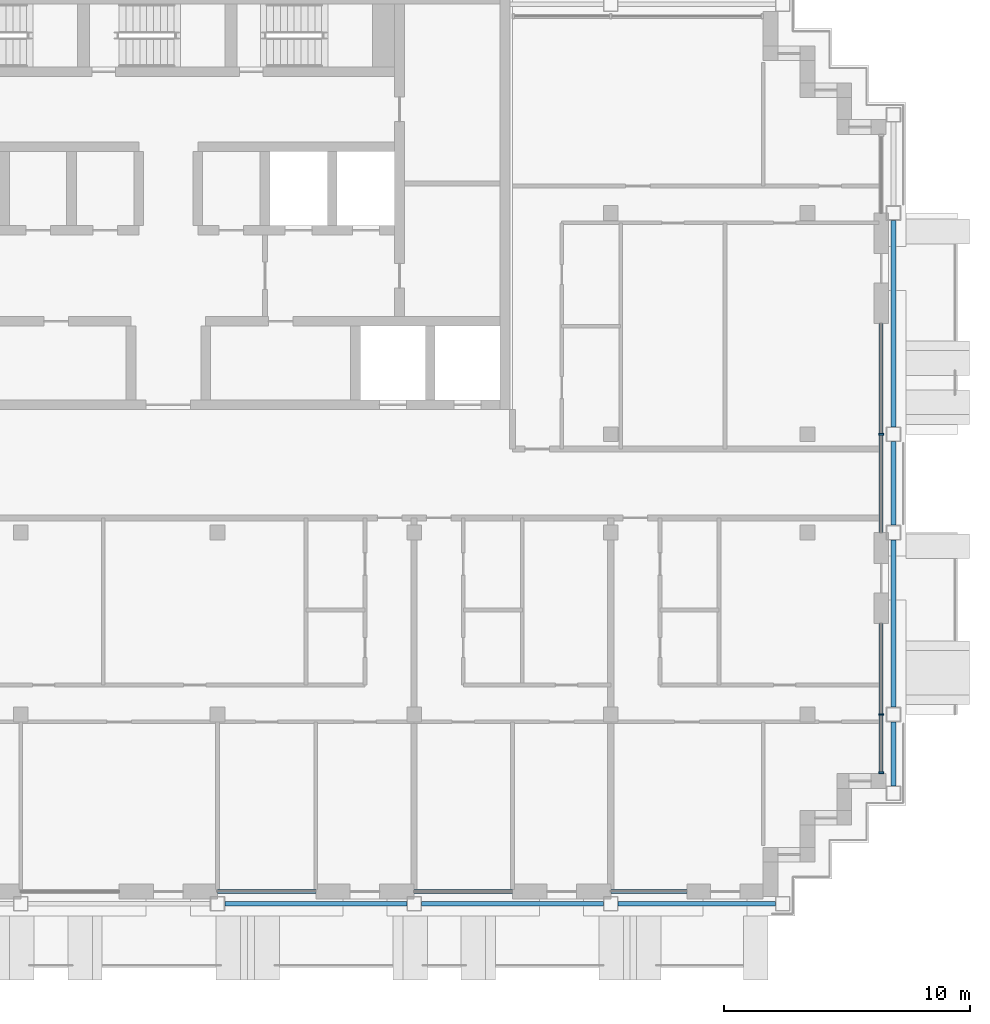
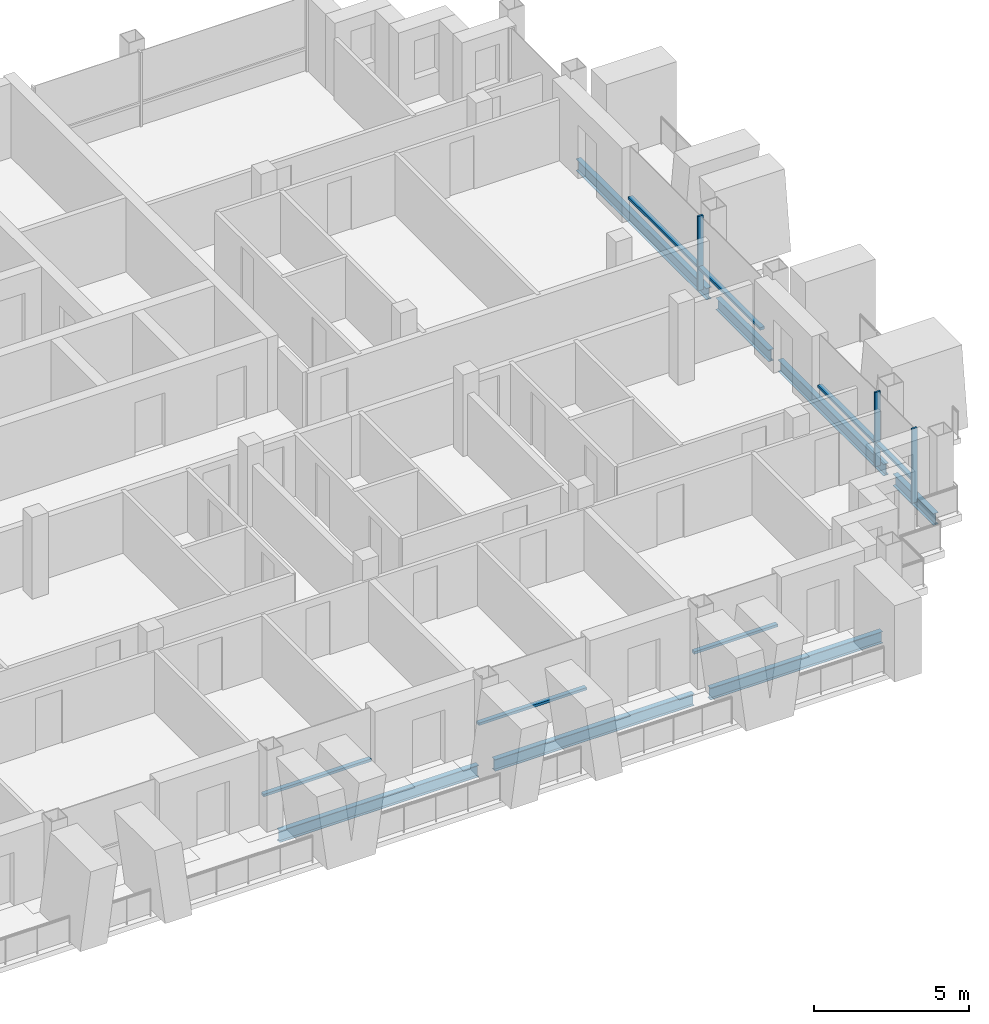
# One storey, part 3 of 15: 10 members, 7 beams, 5 elements without a shape of their own.
"""IFC4 building model written with IfcOpenShell, lengths in metres."""

from ifc_helpers import new_model, si_unit, direction, frame, origin, origin_2d, place, context, subcontext, project, spatial, rectangle, i_section, extrude, material, material_profile, profile_set, type_object, element, aggregate, save


model = new_model("IFC4")

# Units and contexts
model_context = context("Model", 3, precision=1e-05, world=origin(), true_north=direction((0.0, 1.0)))
body_context = subcontext(model_context, "Body", "Model", "MODEL_VIEW")
ifc_project = project(units=[si_unit("LENGTHUNIT", "METRE"), si_unit("AREAUNIT", "SQUARE_METRE"), si_unit("VOLUMEUNIT", "CUBIC_METRE"), si_unit("PLANEANGLEUNIT", "RADIAN"), si_unit("MASSUNIT", "GRAM", prefix="KILO")], contexts=[model_context])

# Site, building, storey
site_placement = place(None, origin())
site = spatial("IfcSite", under=ifc_project, at=site_placement, CompositionType="ELEMENT")
building_placement = place(site_placement, origin())
building = spatial("IfcBuilding", under=site, at=building_placement, Name="Vidyagriha Tower", CompositionType="ELEMENT")
storey_placement = place(building_placement, frame((0.0, 0.0, 210.800048828125)))
storey = spatial("IfcBuildingStorey", under=building, at=storey_placement, Name="L54", CompositionType="ELEMENT", Elevation=210.800048828125)

# Beams
ifc_material_1 = material(Name="Steel ASTM A992 Grade 50", Category="steel")
ifc_material_profile_1 = material_profile(ifc_material_1, i_section(OverallWidth=0.19189453125, OverallDepth=0.46240234375, WebThickness=0.010498046875, FlangeThickness=0.017578125, at=origin_2d()), Name="W18X60")
ifc_profile_set_1 = profile_set([ifc_material_profile_1], Name="Steel ASTM A992 Grade 50")
beam_type = type_object("IfcBeamType", Name="Edge beam W18X60", PredefinedType="SPANDREL", material=ifc_profile_set_1)
for number, where, z_axis, x_axis, name in (
    (1, (2.300048828125, -17.10009765625, -0.51123046875), (1.0, 0.0, 0.0), (0.0, 1.0, 0.0), "st-beam-L54-S05"),
    (2, (10.300048828125, -17.10009765625, -0.51123046875), (1.0, 0.0, 0.0), (0.0, 1.0, 0.0), "st-beam-L54-S06"),
):
    element("IfcBeam", number, at=place(storey_placement, frame(where, z_axis=z_axis, x_axis=x_axis)), inside=storey, type_object=beam_type, Name=name, PredefinedType="SPANDREL", context=body_context, shape_type="SweptSolid", body=[
        extrude(i_section(OverallWidth=0.19189453125, OverallDepth=0.46240234375, WebThickness=0.010498046875, FlangeThickness=0.017578125, at=origin_2d()), origin(), (0.0, 0.0, 1.0), 7.39990234375),
    ])
beam_1_placement = place(storey_placement, frame((18.300048828125, -17.10009765625, -0.51123046875), z_axis=(1.0, 0.0, 0.0), x_axis=(0.0, 1.0, 0.0)))
element("IfcBeam", 3, at=beam_1_placement, inside=storey, type_object=beam_type, Name="st-beam-L54-S07", PredefinedType="SPANDREL", context=body_context, shape_type="SweptSolid", body=[
    extrude(i_section(OverallWidth=0.19189453125, OverallDepth=0.46240234375, WebThickness=0.010498046875, FlangeThickness=0.017578125, at=origin_2d()), origin(), (0.0, 0.0, 1.0), 6.39990234375),
])
beam_2_placement = place(storey_placement, frame((29.5, -12.300048828125, -0.51123046875), z_axis=(0.0, 1.0, 0.0), x_axis=(-1.0, 0.0, 0.0)))
element("IfcBeam", 4, at=beam_2_placement, inside=storey, type_object=beam_type, Name="st-beam-L54-E13", PredefinedType="SPANDREL", context=body_context, shape_type="SweptSolid", body=[
    extrude(i_section(OverallWidth=0.19189453125, OverallDepth=0.46240234375, WebThickness=0.010498046875, FlangeThickness=0.017578125, at=origin_2d()), origin(), (0.0, 0.0, 1.0), 2.60009765625),
])
beam_3_placement = place(storey_placement, frame((29.5, -9.10009765625, -0.51123046875), z_axis=(0.0, 1.0, 0.0), x_axis=(-1.0, 0.0, 0.0)))
element("IfcBeam", 5, at=beam_3_placement, inside=storey, type_object=beam_type, Name="st-beam-L54-E14", PredefinedType="SPANDREL", context=body_context, shape_type="SweptSolid", body=[
    extrude(i_section(OverallWidth=0.19189453125, OverallDepth=0.46240234375, WebThickness=0.010498046875, FlangeThickness=0.017578125, at=origin_2d()), origin(), (0.0, 0.0, 1.0), 6.800048828125),
])
beam_4_placement = place(storey_placement, frame((29.5, -1.699951171875, -0.51123046875), z_axis=(0.0, 1.0, 0.0), x_axis=(-1.0, 0.0, 0.0)))
element("IfcBeam", 6, at=beam_4_placement, inside=storey, type_object=beam_type, Name="st-beam-L54-E15", PredefinedType="SPANDREL", context=body_context, shape_type="SweptSolid", body=[
    extrude(i_section(OverallWidth=0.19189453125, OverallDepth=0.46240234375, WebThickness=0.010498046875, FlangeThickness=0.017578125, at=origin_2d()), origin(), (0.0, 0.0, 1.0), 3.39990234375),
])
beam_5_placement = place(storey_placement, frame((29.5, 2.300048828125, -0.51123046875), z_axis=(0.0, 1.0, 0.0), x_axis=(-1.0, 0.0, 0.0)))
element("IfcBeam", 7, at=beam_5_placement, inside=storey, type_object=beam_type, Name="st-beam-L54-E16", PredefinedType="SPANDREL", context=body_context, shape_type="SweptSolid", body=[
    extrude(i_section(OverallWidth=0.19189453125, OverallDepth=0.46240234375, WebThickness=0.010498046875, FlangeThickness=0.017578125, at=origin_2d()), origin(), (0.0, 0.0, 1.0), 8.39990234375),
])

# Curtain wall, members
ifc_material_2 = material(Name="Aluminium and glass curtain wall", Category="aluminium")
curtain_wall_type = type_object("IfcCurtainWallType", Name="Dwelling skin unitised curtain wall", PredefinedType="USERDEFINED", material=ifc_material_2)
curtain_wall_1_placement = place(storey_placement, origin())
curtain_wall_1 = element("IfcCurtainWall", 8, at=curtain_wall_1_placement, inside=storey, type_object=curtain_wall_type, Name="CW1 dwelling skin", ObjectType="UNITISED", PredefinedType="USERDEFINED")
ifc_material_3 = material(Name="Aluminium black anodised", Category="aluminium")
ifc_material_profile_2 = material_profile(ifc_material_3, rectangle(XDim=0.199951171875, YDim=0.070068359375, at=origin_2d()), Name="Mullion 70x200 black aluminium")
ifc_profile_set_2 = profile_set([ifc_material_profile_2], Name="Aluminium black anodised")
member_type_1 = type_object("IfcMemberType", Name="Mullion 70x200 black aluminium", PredefinedType="MULLION", material=ifc_profile_set_2)
member_1_placement = place(storey_placement, frame((29.0, -11.764892578125, 0.0), z_axis=(0.0, 0.0, 1.0), x_axis=(-1.0, 0.0, 0.0)))
member_1 = element("IfcMember", 9, at=member_1_placement, type_object=member_type_1, Name="CW1 mullion 1", PredefinedType="MULLION", context=body_context, shape_type="SweptSolid", body=[
    extrude(rectangle(XDim=0.199951171875, YDim=0.070068359375, at=origin_2d()), origin(), (0.0, 0.0, 1.0), 2.919921875),
])
member_2_placement = place(storey_placement, frame((29.0, -9.39990234375, 0.0), z_axis=(0.0, 0.0, 1.0), x_axis=(-1.0, 0.0, 0.0)))
member_2 = element("IfcMember", 10, at=member_2_placement, type_object=member_type_1, Name="CW1 mullion 2", PredefinedType="MULLION", context=body_context, shape_type="SweptSolid", body=[
    extrude(rectangle(XDim=0.199951171875, YDim=0.070068359375, at=origin_2d()), origin(), (0.0, 0.0, 1.0), 2.919921875),
])

# Curtain wall, member
curtain_wall_2_placement = place(storey_placement, origin())
curtain_wall_2 = element("IfcCurtainWall", 11, at=curtain_wall_2_placement, inside=storey, type_object=curtain_wall_type, Name="CW1 dwelling skin", ObjectType="UNITISED", PredefinedType="USERDEFINED")
member_3_placement = place(storey_placement, frame((29.0, 2.0, 0.0), z_axis=(0.0, 0.0, 1.0), x_axis=(-1.0, 0.0, 0.0)))
member_3 = element("IfcMember", 12, at=member_3_placement, type_object=member_type_1, Name="CW1 mullion 2", PredefinedType="MULLION", context=body_context, shape_type="SweptSolid", body=[
    extrude(rectangle(XDim=0.199951171875, YDim=0.070068359375, at=origin_2d()), origin(), (0.0, 0.0, 1.0), 2.919921875),
])

curtain_wall_3_placement = place(storey_placement, origin())
curtain_wall_3 = element("IfcCurtainWall", 13, at=curtain_wall_3_placement, inside=storey, type_object=curtain_wall_type, Name="CW1 dwelling skin", ObjectType="UNITISED", PredefinedType="USERDEFINED")
ifc_material_4 = material(Name="Aluminium black anodised", Category="aluminium")
ifc_material_profile_3 = material_profile(ifc_material_4, rectangle(XDim=0.159912109375, YDim=0.10009765625, at=origin_2d()), Name="Transom 100x160 black aluminium")
ifc_profile_set_3 = profile_set([ifc_material_profile_3], Name="Aluminium black anodised")
member_type_2 = type_object("IfcMemberType", Name="Transom 100x160 black aluminium", PredefinedType="USERDEFINED", material=ifc_profile_set_3)
member_4_placement = place(storey_placement, frame((2.0, -16.60009765625, 0.89990234375), z_axis=(1.0, 0.0, 0.0), x_axis=(0.0, 1.0, 0.0)))
member_4 = element("IfcMember", 14, at=member_4_placement, type_object=member_type_2, Name="CW1 transom 1.1", ObjectType="TRANSOM", PredefinedType="USERDEFINED", context=body_context, shape_type="SweptSolid", body=[
    extrude(rectangle(XDim=0.159912109375, YDim=0.10009765625, at=origin_2d()), origin(), (0.0, 0.0, 1.0), 4.0),
])
aggregate(curtain_wall_3, [member_4])

curtain_wall_4_placement = place(storey_placement, origin())
curtain_wall_4 = element("IfcCurtainWall", 15, at=curtain_wall_4_placement, inside=storey, type_object=curtain_wall_type, Name="CW1 dwelling skin", ObjectType="UNITISED", PredefinedType="USERDEFINED")
member_5_placement = place(storey_placement, frame((10.0, -16.60009765625, 0.89990234375), z_axis=(1.0, 0.0, 0.0), x_axis=(0.0, 1.0, 0.0)))
member_5 = element("IfcMember", 16, at=member_5_placement, type_object=member_type_2, Name="CW1 transom 1.1", ObjectType="TRANSOM", PredefinedType="USERDEFINED", context=body_context, shape_type="SweptSolid", body=[
    extrude(rectangle(XDim=0.159912109375, YDim=0.10009765625, at=origin_2d()), origin(), (0.0, 0.0, 1.0), 4.0),
])
aggregate(curtain_wall_4, [member_5])

curtain_wall_5_placement = place(storey_placement, origin())
curtain_wall_5 = element("IfcCurtainWall", 17, at=curtain_wall_5_placement, inside=storey, type_object=curtain_wall_type, Name="CW1 dwelling skin", ObjectType="UNITISED", PredefinedType="USERDEFINED")
member_6_placement = place(storey_placement, frame((18.0, -16.60009765625, 0.89990234375), z_axis=(1.0, 0.0, 0.0), x_axis=(0.0, 1.0, 0.0)))
member_6 = element("IfcMember", 18, at=member_6_placement, type_object=member_type_2, Name="CW1 transom 1.1", ObjectType="TRANSOM", PredefinedType="USERDEFINED", context=body_context, shape_type="SweptSolid", body=[
    extrude(rectangle(XDim=0.159912109375, YDim=0.10009765625, at=origin_2d()), origin(), (0.0, 0.0, 1.0), 3.10009765625),
])
aggregate(curtain_wall_5, [member_6])

# Member
member_7_placement = place(storey_placement, frame((29.0, -11.72998046875, 0.89990234375), z_axis=(0.0, 1.0, 0.0), x_axis=(-1.0, 0.0, 0.0)))
member_7 = element("IfcMember", 19, at=member_7_placement, type_object=member_type_2, Name="CW1 transom 1.1", ObjectType="TRANSOM", PredefinedType="USERDEFINED", context=body_context, shape_type="SweptSolid", body=[
    extrude(rectangle(XDim=0.159912109375, YDim=0.10009765625, at=origin_2d()), origin(), (0.0, 0.0, 1.0), 2.294921875),
])

member_8_placement = place(storey_placement, frame((29.0, -9.364990234375, 0.89990234375), z_axis=(0.0, 1.0, 0.0), x_axis=(-1.0, 0.0, 0.0)))
member_8 = element("IfcMember", 20, at=member_8_placement, type_object=member_type_2, Name="CW1 transom 2.1", ObjectType="TRANSOM", PredefinedType="USERDEFINED", context=body_context, shape_type="SweptSolid", body=[
    extrude(rectangle(XDim=0.159912109375, YDim=0.10009765625, at=origin_2d()), origin(), (0.0, 0.0, 1.0), 3.6650390625),
])

aggregate(curtain_wall_1, [member_1, member_2, member_7, member_8])

member_9_placement = place(storey_placement, frame((29.0, -2.0, 0.89990234375), z_axis=(0.0, 1.0, 0.0), x_axis=(-1.0, 0.0, 0.0)))
member_9 = element("IfcMember", 21, at=member_9_placement, type_object=member_type_2, Name="CW1 transom 1.1", ObjectType="TRANSOM", PredefinedType="USERDEFINED", context=body_context, shape_type="SweptSolid", body=[
    extrude(rectangle(XDim=0.159912109375, YDim=0.10009765625, at=origin_2d()), origin(), (0.0, 0.0, 1.0), 3.965087890625),
])

member_10_placement = place(storey_placement, frame((29.0, 2.034912109375, 0.89990234375), z_axis=(0.0, 1.0, 0.0), x_axis=(-1.0, 0.0, 0.0)))
member_10 = element("IfcMember", 22, at=member_10_placement, type_object=member_type_2, Name="CW1 transom 2.1", ObjectType="TRANSOM", PredefinedType="USERDEFINED", context=body_context, shape_type="SweptSolid", body=[
    extrude(rectangle(XDim=0.159912109375, YDim=0.10009765625, at=origin_2d()), origin(), (0.0, 0.0, 1.0), 4.465087890625),
])

aggregate(curtain_wall_2, [member_3, member_9, member_10])

save(model, "model.ifc")
